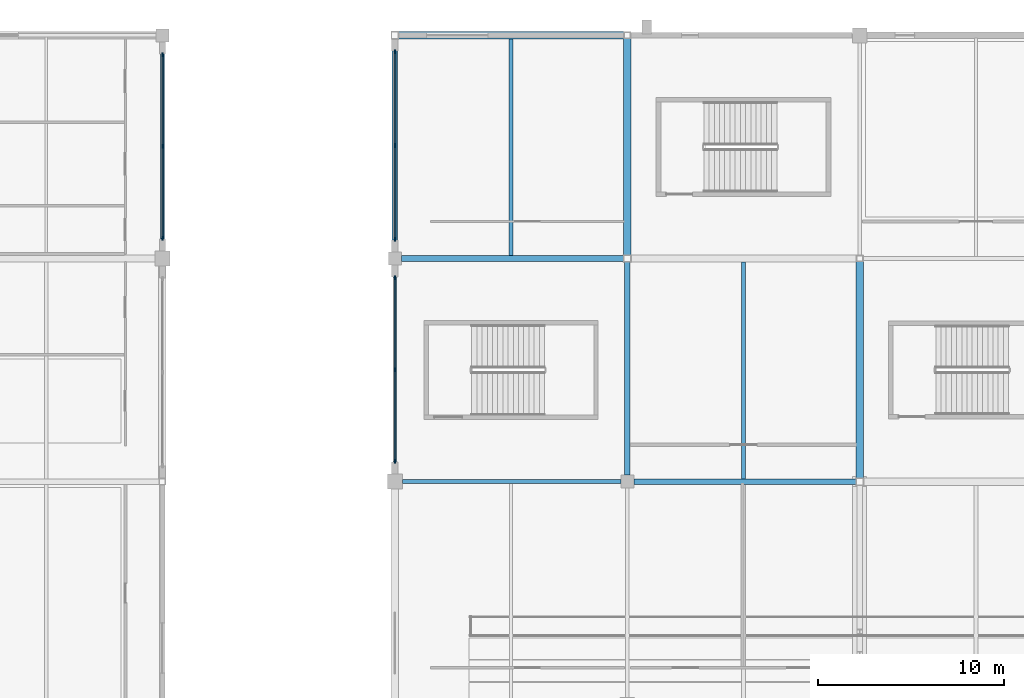
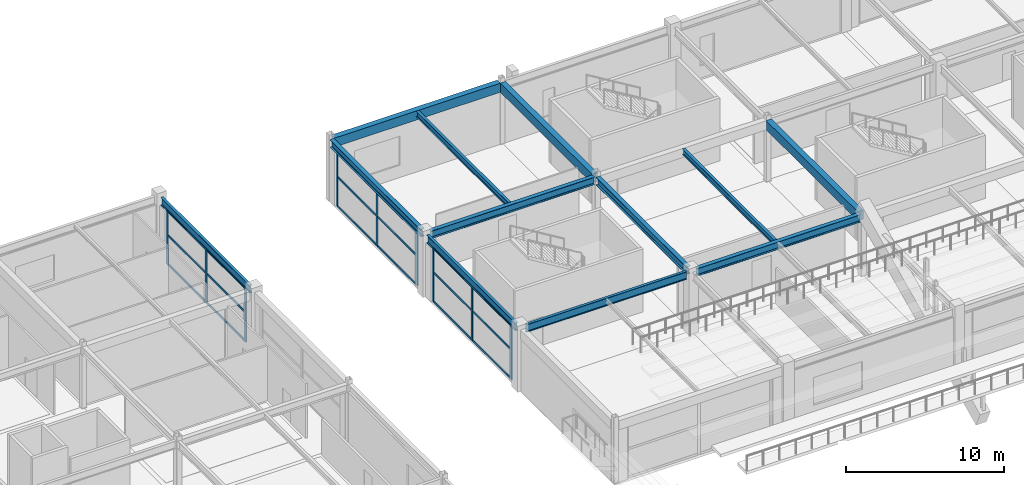
# One storey, part 63 of 128: 27 members, 12 beams, 3 elements without a shape of their own.
"""IFC4 building model written with IfcOpenShell, lengths in metres."""

import ifcopenshell
import ifcopenshell.guid

model = None  # the IFC model being written
_history = None  # IfcOwnerHistory: only IFC2X3 demands one
_inside = {}  # id of a spatial element -> (the spatial element, [elements in it])
_under = {}  # id of a project, library or spatial element -> (it, [spatial elements below it])
_declared = {}  # id of a project -> (the project, [libraries it declares])
_typed = {}  # id of a type object -> (the type object, [elements of that type])
_made_of = {}  # id of a material, layer set ... -> (it, [elements and type objects made of it])


def new_model(schema):
    """Start an empty IFC model of exactly this schema.

    Asked for "IFC4X3", IfcOpenShell would pick the latest addendum, in which some entities
    have other attributes; the version numbers below select the first issue.
    IFC2X3 requires an IfcOwnerHistory on every rooted entity: one is made here for all.
    """
    global model, _history
    if schema == "IFC4X3":
        model = ifcopenshell.file(schema_version=(4, 3, 0, 0))
    else:
        model = ifcopenshell.file(schema=schema)
    _inside.clear()
    _under.clear()
    _declared.clear()
    _typed.clear()
    _made_of.clear()
    _history = None
    if model.schema == "IFC2X3":
        org = make("IfcOrganization", Name="unknown")
        user = make(
            "IfcPersonAndOrganization",
            ThePerson=make("IfcPerson", FamilyName="unknown"),
            TheOrganization=org,
        )
        app = make(
            "IfcApplication",
            ApplicationDeveloper=org,
            Version="unknown",
            ApplicationFullName="unknown",
            ApplicationIdentifier="unknown",
        )
        _history = make(
            "IfcOwnerHistory",
            OwningUser=user,
            OwningApplication=app,
            ChangeAction="ADDED",
            CreationDate=0,
        )
    return model


def make(cls, **values):
    """One entity of the class cls with the attributes given. An attribute that is None is left unset."""
    return model.create_entity(
        cls, **{name: value for name, value in values.items() if value is not None}
    )


def rooted(cls, **values):
    """An entity with a GlobalId (a new one), such as an element, a storey or a relation."""
    return make(cls, GlobalId=ifcopenshell.guid.new(), OwnerHistory=_history, **values)


def si_unit(unit_type, name, prefix=None):
    """IfcSIUnit, for example si_unit("LENGTHUNIT", "METRE", prefix="MILLI")."""
    return make("IfcSIUnit", UnitType=unit_type, Prefix=prefix, Name=name)


def assignment(units):
    """IfcUnitAssignment: the units of a project."""
    return None if units is None else make("IfcUnitAssignment", Units=units)


def point(xyz):
    """IfcCartesianPoint."""
    return None if xyz is None else make("IfcCartesianPoint", Coordinates=xyz)


def direction(xyz):
    """IfcDirection."""
    return None if xyz is None else make("IfcDirection", DirectionRatios=xyz)


def frame(location, z_axis=None, x_axis=None):
    """IfcAxis2Placement3D, a coordinate frame: its origin and axes. An axis left out is left unset."""
    return make(
        "IfcAxis2Placement3D",
        Location=point(location),
        Axis=direction(z_axis),
        RefDirection=direction(x_axis),
    )


def frame_2d(location, x_axis=None):
    """IfcAxis2Placement2D, a coordinate frame in the plane: its origin and x axis."""
    return make(
        "IfcAxis2Placement2D", Location=point(location), RefDirection=direction(x_axis)
    )


def origin():
    """The frame at (0, 0, 0) with its axes left unset."""
    return frame((0.0, 0.0, 0.0))


def origin_2d():
    """The frame at (0, 0) in the plane with its x axis left unset."""
    return frame_2d((0.0, 0.0))


def place(relative_to, where):
    """IfcLocalPlacement: puts the frame where relative to a parent placement (None: the world)."""
    return make(
        "IfcLocalPlacement", PlacementRelTo=relative_to, RelativePlacement=where
    )


def context(
    kind, dimensions, precision=None, world=None, true_north=None, identifier=None
):
    """IfcGeometricRepresentationContext, for example the 3D "Model" context."""
    return make(
        "IfcGeometricRepresentationContext",
        ContextIdentifier=identifier,
        ContextType=kind,
        CoordinateSpaceDimension=dimensions,
        Precision=precision,
        WorldCoordinateSystem=world,
        TrueNorth=true_north,
    )


def subcontext(parent, identifier, kind, view, scale=None):
    """IfcGeometricRepresentationSubContext, for example "Body" below "Model"."""
    return make(
        "IfcGeometricRepresentationSubContext",
        ContextIdentifier=identifier,
        ContextType=kind,
        ParentContext=parent,
        TargetScale=scale,
        TargetView=view,
    )


def project(units=None, contexts=None):
    """IfcProject with its units and contexts."""
    return rooted(
        "IfcProject",
        Name="project",
        RepresentationContexts=contexts,
        UnitsInContext=assignment(units),
    )


def spatial(cls, under=None, at=None, **own):
    """A site, building, storey or space (cls), placed at a placement, below another one or the project."""
    s = rooted(cls, ObjectPlacement=at, **own)
    if under is not None:
        _under.setdefault(under.id(), (under, []))[1].append(s)
    return s


def profile(cls, at=None, kind="AREA", **sizes):
    """A parametric profile (cls). Its sizes go by their IFC names, for example OverallWidth=200.0."""
    return make(cls, ProfileType=kind, Position=at, **sizes)


def rectangle(**sizes):
    """IfcRectangleProfileDef."""
    return profile("IfcRectangleProfileDef", **sizes)


def i_section(**sizes):
    """IfcIShapeProfileDef."""
    return profile("IfcIShapeProfileDef", **sizes)


def extrude(swept, where, along, depth):
    """IfcExtrudedAreaSolid: the profile swept, set in the frame where, extruded along a direction by depth."""
    return make(
        "IfcExtrudedAreaSolid",
        SweptArea=swept,
        Position=where,
        ExtrudedDirection=direction(along),
        Depth=depth,
    )


def shape(context_of_items, identifier, shape_type, items):
    """IfcShapeRepresentation: the items that make up one representation, for example the "Body"."""
    return make(
        "IfcShapeRepresentation",
        ContextOfItems=context_of_items,
        RepresentationIdentifier=identifier,
        RepresentationType=shape_type,
        Items=items,
    )


def material(Name=None, Category=None):
    """IfcMaterial."""
    return make("IfcMaterial", Name=Name, Category=Category)


def layer(
    of_material, thickness, ventilated=None, Name=None, Category=None, Priority=None
):
    """IfcMaterialLayer: one layer of a wall or slab, of a material (None: an air gap)."""
    return make(
        "IfcMaterialLayer",
        Material=of_material,
        LayerThickness=thickness,
        IsVentilated=ventilated,
        Name=Name,
        Category=Category,
        Priority=Priority,
    )


def layer_set(layers, Name=None):
    """IfcMaterialLayerSet."""
    return make("IfcMaterialLayerSet", MaterialLayers=layers, LayerSetName=Name)


def material_profile(
    of_material, cross_section, Name=None, Category=None, Priority=None
):
    """IfcMaterialProfile: a cross section and its material."""
    return make(
        "IfcMaterialProfile",
        Name=Name,
        Material=of_material,
        Profile=cross_section,
        Priority=Priority,
        Category=Category,
    )


def profile_set(profiles, Name=None, composite=None):
    """IfcMaterialProfileSet."""
    return make(
        "IfcMaterialProfileSet",
        Name=Name,
        MaterialProfiles=profiles,
        CompositeProfile=composite,
    )


def made_of(thing, what):
    """Note that an element or type object is made of a material, layer set ...; save() writes the relation."""
    if what is not None:
        _made_of.setdefault(what.id(), (what, []))[1].append(thing)
    return thing


def type_object(cls, material=None, **own):
    """A type object (cls), such as IfcWallType, which elements share."""
    return made_of(rooted(cls, **own), material)


def element(
    cls,
    number,
    at=None,
    inside=None,
    cuts=None,
    type_object=None,
    material=None,
    context=None,
    identifier="Body",
    shape_type=None,
    held_by="IfcProductDefinitionShape",
    body=None,
    shapes=None,
    **own,
):
    """One element of the class cls, such as IfcWall. Its Tag is "e" and its number.

    at: its placement. inside: the storey or other place that contains it. cuts: it is an
    opening in that element (IfcRelVoidsElement). A single representation is given by context,
    identifier, shape_type and body (its items); several are given by shapes. held_by: the class
    of the entity that holds the representations. save() writes the other relations.
    """
    e = rooted(cls, Tag="e%d" % number, ObjectPlacement=at, **own)
    if body is not None:
        shapes = [shape(context, identifier, shape_type, body)]
    if shapes is not None:
        e.Representation = make(held_by, Representations=shapes)
    if inside is not None:
        _inside.setdefault(inside.id(), (inside, []))[1].append(e)
    if cuts is not None:
        rooted(
            "IfcRelVoidsElement", RelatingBuildingElement=cuts, RelatedOpeningElement=e
        )
    if type_object is not None:
        _typed.setdefault(type_object.id(), (type_object, []))[1].append(e)
    return made_of(e, material)


def aggregate(whole, parts):
    """IfcRelAggregates: a whole, such as a stair, and the parts it consists of."""
    return rooted("IfcRelAggregates", RelatingObject=whole, RelatedObjects=parts)


def save(model, path):
    """Write the relations noted so far, then the file.

    IfcRelAggregates (storeys below a building ...), IfcRelContainedInSpatialStructure (elements
    in a storey), IfcRelDefinesByType, IfcRelAssociatesMaterial and IfcRelDeclares: one each for
    every whole, place, type object, material and project.
    """
    for whole, parts in _under.values():
        aggregate(whole, parts)
    for where, things in _inside.values():
        rooted(
            "IfcRelContainedInSpatialStructure",
            RelatedElements=things,
            RelatingStructure=where,
        )
    for kind, things in _typed.values():
        rooted("IfcRelDefinesByType", RelatedObjects=things, RelatingType=kind)
    for what, things in _made_of.values():
        rooted("IfcRelAssociatesMaterial", RelatedObjects=things, RelatingMaterial=what)
    for by, libraries in _declared.values():
        rooted("IfcRelDeclares", RelatingContext=by, RelatedDefinitions=libraries)
    model.write(path)


model = new_model("IFC4")

# Units and contexts
model_context = context("Model", 3, precision=1e-05, world=origin(), true_north=direction((0.0, 1.0)))
body_context = subcontext(model_context, "Body", "Model", "MODEL_VIEW")
ifc_project = project(units=[si_unit("LENGTHUNIT", "METRE"), si_unit("AREAUNIT", "SQUARE_METRE"), si_unit("VOLUMEUNIT", "CUBIC_METRE"), si_unit("PLANEANGLEUNIT", "RADIAN"), si_unit("MASSUNIT", "GRAM", prefix="KILO")], contexts=[model_context])

# Site, building, storey
site_placement = place(None, origin())
site = spatial("IfcSite", under=ifc_project, at=site_placement, CompositionType="ELEMENT")
building_placement = place(site_placement, origin())
building = spatial("IfcBuilding", under=site, at=building_placement, Name="Kazenohara Klinker Stadium", CompositionType="ELEMENT")
storey_placement = place(building_placement, frame((0.0, 0.0, 15.300048828125)))
storey = spatial("IfcBuildingStorey", under=building, at=storey_placement, Name="L03", CompositionType="ELEMENT", Elevation=15.300048828125)

# Beams
ifc_material_1 = material(Name="Steel S355", Category="steel")
ifc_material_profile_1 = material_profile(ifc_material_1, i_section(OverallWidth=0.199951171875, OverallDepth=0.449951171875, WebThickness=0.009033203125, FlangeThickness=0.013916015625, FilletRadius=0.012939453125, at=origin_2d()), Name="H-450x200x9x14")
ifc_profile_set_1 = profile_set([ifc_material_profile_1], Name="Steel S355")
beam_type_1 = type_object("IfcBeamType", Name="BM-JST02", PredefinedType="JOIST", material=ifc_profile_set_1)
for number, where, z_axis, x_axis, name in (
    (1, (55.25, 156.14990234375, 4.534912109375), (0.0, 1.0, 0.0), (-1.0, 0.0, 0.0), "Secondary floor joist SJ02 L03 5/P"),
    (2, (67.75, 144.14990234375, 4.534912109375), (0.0, 1.0, 0.0), (-1.0, 0.0, 0.0), "Secondary floor joist SJ02 L03 6/N"),
):
    element("IfcBeam", number, at=place(storey_placement, frame(where, z_axis=z_axis, x_axis=x_axis)), inside=storey, type_object=beam_type_1, Name=name, PredefinedType="JOIST", context=body_context, shape_type="SweptSolid", body=[
        extrude(i_section(OverallWidth=0.199951171875, OverallDepth=0.449951171875, WebThickness=0.009033203125, FlangeThickness=0.013916015625, FilletRadius=0.012939453125, at=origin_2d()), origin(), (0.0, 0.0, 1.0), 11.650146484375),
    ])
ifc_material_2 = material(Name="Concrete C40/50", Category="concrete")
ifc_material_profile_2 = material_profile(ifc_material_2, rectangle(XDim=0.39990234375, YDim=0.699951171875, at=origin_2d()), Name="RC-BM-400x700")
ifc_profile_set_2 = profile_set([ifc_material_profile_2], Name="Concrete C40/50")
beam_type_2 = type_object("IfcBeamType", Name="BM-RC04", PredefinedType="BEAM", material=ifc_profile_set_2)
beam_1_placement = place(storey_placement, frame((49.199951171875, 168.0, 4.409912109375), z_axis=(1.0, 0.0, 0.0), x_axis=(0.0, 1.0, 0.0)))
element("IfcBeam", 3, at=beam_1_placement, inside=storey, type_object=beam_type_2, Name="Primary girder BG04 L03 5-6/Q", PredefinedType="BEAM", context=body_context, shape_type="SweptSolid", body=[
    extrude(rectangle(XDim=0.39990234375, YDim=0.699951171875, at=origin_2d()), origin(), (0.0, 0.0, 1.0), 12.125),
])
for number, where, z_axis, x_axis, name in (
    (4, (61.5, 156.199951171875, 4.409912109375), (0.0, 1.0, 0.0), (-1.0, 0.0, 0.0), "Primary girder BG04 L03 6/P-Q"),
    (5, (74.0, 144.199951171875, 4.409912109375), (0.0, 1.0, 0.0), (-1.0, 0.0, 0.0), "Primary girder BG04 L03 7/N-P"),
):
    element("IfcBeam", number, at=place(storey_placement, frame(where, z_axis=z_axis, x_axis=x_axis)), inside=storey, type_object=beam_type_2, Name=name, PredefinedType="BEAM", context=body_context, shape_type="SweptSolid", body=[
        extrude(rectangle(XDim=0.39990234375, YDim=0.699951171875, at=origin_2d()), origin(), (0.0, 0.0, 1.0), 11.625),
    ])
ifc_material_profile_3 = material_profile(ifc_material_1, i_section(OverallWidth=0.199951171875, OverallDepth=0.60009765625, WebThickness=0.010986328125, FlangeThickness=0.01708984375, FilletRadius=0.012939453125, at=origin_2d()), Name="H-600x200x11x17")
ifc_profile_set_3 = profile_set([ifc_material_profile_3], Name="Steel S355")
beam_type_3 = type_object("IfcBeamType", Name="BM-ST04", PredefinedType="BEAM", material=ifc_profile_set_3)
beam_2_placement = place(storey_placement, frame((49.39990234375, 144.0, 4.4599609375), z_axis=(1.0, 0.0, 0.0), x_axis=(0.0, 1.0, 0.0)))
element("IfcBeam", 6, at=beam_2_placement, inside=storey, type_object=beam_type_3, Name="Primary girder SB04 L03 5-6/N", PredefinedType="BEAM", context=body_context, shape_type="SweptSolid", body=[
    extrude(i_section(OverallWidth=0.199951171875, OverallDepth=0.60009765625, WebThickness=0.010986328125, FlangeThickness=0.01708984375, FilletRadius=0.012939453125, at=origin_2d()), origin(), (0.0, 0.0, 1.0), 11.75),
])
for number, where, z_axis, x_axis, name in (
    (7, (36.5, 156.39990234375, 4.4599609375), (0.0, 1.0, 0.0), (-1.0, 0.0, 0.0), "Primary girder SB04 L03 4/P-Q"),
    (8, (49.0, 144.39990234375, 4.4599609375), (0.0, 1.0, 0.0), (-1.0, 0.0, 0.0), "Primary girder SB04 L03 5/N-P"),
):
    element("IfcBeam", number, at=place(storey_placement, frame(where, z_axis=z_axis, x_axis=x_axis)), inside=storey, type_object=beam_type_3, Name=name, PredefinedType="BEAM", context=body_context, shape_type="SweptSolid", body=[
        extrude(i_section(OverallWidth=0.199951171875, OverallDepth=0.60009765625, WebThickness=0.010986328125, FlangeThickness=0.01708984375, FilletRadius=0.012939453125, at=origin_2d()), origin(), (0.0, 0.0, 1.0), 11.25),
    ])
ifc_material_profile_4 = material_profile(ifc_material_1, i_section(OverallWidth=0.300048828125, OverallDepth=0.587890625, WebThickness=0.011962890625, FlangeThickness=0.02001953125, FilletRadius=0.02197265625, at=origin_2d()), Name="H-588x300x12x20")
ifc_profile_set_4 = profile_set([ifc_material_profile_4], Name="Steel S355")
beam_type_4 = type_object("IfcBeamType", Name="BM-ST05", PredefinedType="BEAM", material=ifc_profile_set_4)
for number, where, z_axis, x_axis, name in (
    (9, (49.35009765625, 156.0, 4.466064453125), (1.0, 0.0, 0.0), (0.0, 1.0, 0.0), "Primary girder SB05 L03 5-6/P"),
    (10, (61.85009765625, 144.0, 4.466064453125), (1.0, 0.0, 0.0), (0.0, 1.0, 0.0), "Primary girder SB05 L03 6-7/N"),
):
    element("IfcBeam", number, at=place(storey_placement, frame(where, z_axis=z_axis, x_axis=x_axis)), inside=storey, type_object=beam_type_4, Name=name, PredefinedType="BEAM", context=body_context, shape_type="SweptSolid", body=[
        extrude(i_section(OverallWidth=0.300048828125, OverallDepth=0.587890625, WebThickness=0.011962890625, FlangeThickness=0.02001953125, FilletRadius=0.02197265625, at=origin_2d()), origin(), (0.0, 0.0, 1.0), 11.949951171875),
    ])
for number, where, z_axis, x_axis, name in (
    (11, (49.0, 156.35009765625, 4.466064453125), (0.0, 1.0, 0.0), (-1.0, 0.0, 0.0), "Primary girder SB05 L03 5/P-Q"),
    (12, (61.5, 144.35009765625, 4.466064453125), (0.0, 1.0, 0.0), (-1.0, 0.0, 0.0), "Primary girder SB05 L03 6/N-P"),
):
    element("IfcBeam", number, at=place(storey_placement, frame(where, z_axis=z_axis, x_axis=x_axis)), inside=storey, type_object=beam_type_4, Name=name, PredefinedType="BEAM", context=body_context, shape_type="SweptSolid", body=[
        extrude(i_section(OverallWidth=0.300048828125, OverallDepth=0.587890625, WebThickness=0.011962890625, FlangeThickness=0.02001953125, FilletRadius=0.02197265625, at=origin_2d()), origin(), (0.0, 0.0, 1.0), 11.449951171875),
    ])

# Curtain wall, members
ifc_material_3 = material(Name="Anodised aluminium and triple glazing", Category="aluminium")
ifc_layer_1 = layer(ifc_material_3, 0.159912109375)
ifc_layer_set_1 = layer_set([ifc_layer_1], Name="Anodised aluminium and triple glazing")
curtain_wall_type_1 = type_object("IfcCurtainWallType", Name="CW-SYS-01", PredefinedType="USERDEFINED", material=ifc_layer_set_1)
curtain_wall_1_placement = place(storey_placement, origin())
curtain_wall_1 = element("IfcCurtainWall", 13, at=curtain_wall_1_placement, inside=storey, type_object=curtain_wall_type_1, Name="Unitised facade curtain wall CW01 L03 Y3-13", ObjectType="UNITISED CURTAIN WALL", PredefinedType="USERDEFINED")
ifc_material_4 = material(Name="Anodised aluminium 6063-T6", Category="aluminium")
ifc_material_profile_5 = material_profile(ifc_material_4, rectangle(XDim=0.074951171875, YDim=0.219970703125, at=origin_2d()), Name="ALU-MUL-75x220")
ifc_profile_set_5 = profile_set([ifc_material_profile_5], Name="Anodised aluminium 6063-T6")
member_type_1 = type_object("IfcMemberType", Name="CW-MUL-220", PredefinedType="MULLION", material=ifc_profile_set_5)
member_1_placement = place(storey_placement, frame((36.5, 157.091552734375, 0.0), z_axis=(0.0, 0.0, 1.0), x_axis=(-1.0, 0.0, 0.0)))
member_1 = element("IfcMember", 14, at=member_1_placement, type_object=member_type_1, Name="CW01 mullion 1", PredefinedType="MULLION", context=body_context, shape_type="SweptSolid", body=[
    extrude(rectangle(XDim=0.074951171875, YDim=0.219970703125, at=origin_2d()), origin(), (0.0, 0.0, 1.0), 4.159912109375),
])
member_2_placement = place(storey_placement, frame((36.5, 162.02490234375, 0.0), z_axis=(0.0, 0.0, 1.0), x_axis=(-1.0, 0.0, 0.0)))
member_2 = element("IfcMember", 15, at=member_2_placement, type_object=member_type_1, Name="CW01 mullion 2", PredefinedType="MULLION", context=body_context, shape_type="SweptSolid", body=[
    extrude(rectangle(XDim=0.074951171875, YDim=0.219970703125, at=origin_2d()), origin(), (0.0, 0.0, 1.0), 4.159912109375),
])
member_3_placement = place(storey_placement, frame((36.5, 166.95849609375, 0.0), z_axis=(0.0, 0.0, 1.0), x_axis=(-1.0, 0.0, 0.0)))
member_3 = element("IfcMember", 16, at=member_3_placement, type_object=member_type_1, Name="CW01 mullion 3", PredefinedType="MULLION", context=body_context, shape_type="SweptSolid", body=[
    extrude(rectangle(XDim=0.074951171875, YDim=0.219970703125, at=origin_2d()), origin(), (0.0, 0.0, 1.0), 4.159912109375),
])

ifc_layer_2 = layer(ifc_material_3, 0.18994140625)
ifc_layer_set_2 = layer_set([ifc_layer_2], Name="Anodised aluminium and triple glazing")
curtain_wall_type_2 = type_object("IfcCurtainWallType", Name="CW-SYS-05", PredefinedType="USERDEFINED", material=ifc_layer_set_2)
curtain_wall_2_placement = place(storey_placement, origin())
curtain_wall_2 = element("IfcCurtainWall", 17, at=curtain_wall_2_placement, inside=storey, type_object=curtain_wall_type_2, Name="Unitised facade curtain wall CW05 L03 Y4-12", ObjectType="UNITISED CURTAIN WALL", PredefinedType="USERDEFINED")
member_4_placement = place(storey_placement, frame((49.0, 145.091552734375, 0.0), z_axis=(0.0, 0.0, 1.0), x_axis=(-1.0, 0.0, 0.0)))
member_4 = element("IfcMember", 18, at=member_4_placement, type_object=member_type_1, Name="CW05 mullion 1", PredefinedType="MULLION", context=body_context, shape_type="SweptSolid", body=[
    extrude(rectangle(XDim=0.074951171875, YDim=0.219970703125, at=origin_2d()), origin(), (0.0, 0.0, 1.0), 4.159912109375),
])
member_5_placement = place(storey_placement, frame((49.0, 150.02490234375, 0.0), z_axis=(0.0, 0.0, 1.0), x_axis=(-1.0, 0.0, 0.0)))
member_5 = element("IfcMember", 19, at=member_5_placement, type_object=member_type_1, Name="CW05 mullion 2", PredefinedType="MULLION", context=body_context, shape_type="SweptSolid", body=[
    extrude(rectangle(XDim=0.074951171875, YDim=0.219970703125, at=origin_2d()), origin(), (0.0, 0.0, 1.0), 4.159912109375),
])
member_6_placement = place(storey_placement, frame((49.0, 154.95849609375, 0.0), z_axis=(0.0, 0.0, 1.0), x_axis=(-1.0, 0.0, 0.0)))
member_6 = element("IfcMember", 20, at=member_6_placement, type_object=member_type_1, Name="CW05 mullion 3", PredefinedType="MULLION", context=body_context, shape_type="SweptSolid", body=[
    extrude(rectangle(XDim=0.074951171875, YDim=0.219970703125, at=origin_2d()), origin(), (0.0, 0.0, 1.0), 4.159912109375),
])

curtain_wall_3_placement = place(storey_placement, origin())
curtain_wall_3 = element("IfcCurtainWall", 21, at=curtain_wall_3_placement, inside=storey, type_object=curtain_wall_type_1, Name="Unitised facade curtain wall CW01 L03 Y4-13", ObjectType="UNITISED CURTAIN WALL", PredefinedType="USERDEFINED")
member_7_placement = place(storey_placement, frame((49.0, 157.04150390625, 0.0), z_axis=(0.0, 0.0, 1.0), x_axis=(-1.0, 0.0, 0.0)))
member_7 = element("IfcMember", 22, at=member_7_placement, type_object=member_type_1, Name="CW01 mullion 1", PredefinedType="MULLION", context=body_context, shape_type="SweptSolid", body=[
    extrude(rectangle(XDim=0.074951171875, YDim=0.219970703125, at=origin_2d()), origin(), (0.0, 0.0, 1.0), 4.171875),
])
member_8_placement = place(storey_placement, frame((49.0, 162.074951171875, 0.0), z_axis=(0.0, 0.0, 1.0), x_axis=(-1.0, 0.0, 0.0)))
member_8 = element("IfcMember", 23, at=member_8_placement, type_object=member_type_1, Name="CW01 mullion 2", PredefinedType="MULLION", context=body_context, shape_type="SweptSolid", body=[
    extrude(rectangle(XDim=0.074951171875, YDim=0.219970703125, at=origin_2d()), origin(), (0.0, 0.0, 1.0), 4.171875),
])
member_9_placement = place(storey_placement, frame((49.0, 167.1083984375, 0.0), z_axis=(0.0, 0.0, 1.0), x_axis=(-1.0, 0.0, 0.0)))
member_9 = element("IfcMember", 24, at=member_9_placement, type_object=member_type_1, Name="CW01 mullion 3", PredefinedType="MULLION", context=body_context, shape_type="SweptSolid", body=[
    extrude(rectangle(XDim=0.074951171875, YDim=0.219970703125, at=origin_2d()), origin(), (0.0, 0.0, 1.0), 4.171875),
])

# Member
ifc_material_profile_6 = material_profile(ifc_material_4, rectangle(XDim=0.074951171875, YDim=0.159912109375, at=origin_2d()), Name="ALU-TRN-75x160")
ifc_profile_set_6 = profile_set([ifc_material_profile_6], Name="Anodised aluminium 6063-T6")
member_type_2 = type_object("IfcMemberType", Name="CW-TRN-160", PredefinedType="USERDEFINED", material=ifc_profile_set_6)
member_10_placement = place(storey_placement, frame((36.5, 157.12890625, 0.037353515625), z_axis=(0.0, 1.0, 0.0), x_axis=(-1.0, 0.0, 0.0)))
member_10 = element("IfcMember", 25, at=member_10_placement, type_object=member_type_2, Name="CW01 transom 1.1", ObjectType="TRANSOM", PredefinedType="USERDEFINED", context=body_context, shape_type="SweptSolid", body=[
    extrude(rectangle(XDim=0.074951171875, YDim=0.159912109375, at=origin_2d()), origin(), (0.0, 0.0, 1.0), 4.858642578125),
])

member_11_placement = place(storey_placement, frame((36.5, 157.12890625, 2.287841796875), z_axis=(0.0, 1.0, 0.0), x_axis=(-1.0, 0.0, 0.0)))
member_11 = element("IfcMember", 26, at=member_11_placement, type_object=member_type_2, Name="CW01 transom 1.2", ObjectType="TRANSOM", PredefinedType="USERDEFINED", context=body_context, shape_type="SweptSolid", body=[
    extrude(rectangle(XDim=0.074951171875, YDim=0.159912109375, at=origin_2d()), origin(), (0.0, 0.0, 1.0), 4.858642578125),
])

member_12_placement = place(storey_placement, frame((36.5, 157.12890625, 4.12255859375), z_axis=(0.0, 1.0, 0.0), x_axis=(-1.0, 0.0, 0.0)))
member_12 = element("IfcMember", 27, at=member_12_placement, type_object=member_type_2, Name="CW01 transom 1.3", ObjectType="TRANSOM", PredefinedType="USERDEFINED", context=body_context, shape_type="SweptSolid", body=[
    extrude(rectangle(XDim=0.074951171875, YDim=0.159912109375, at=origin_2d()), origin(), (0.0, 0.0, 1.0), 4.858642578125),
])

member_13_placement = place(storey_placement, frame((36.5, 162.0625, 0.037353515625), z_axis=(0.0, 1.0, 0.0), x_axis=(-1.0, 0.0, 0.0)))
member_13 = element("IfcMember", 28, at=member_13_placement, type_object=member_type_2, Name="CW01 transom 2.1", ObjectType="TRANSOM", PredefinedType="USERDEFINED", context=body_context, shape_type="SweptSolid", body=[
    extrude(rectangle(XDim=0.074951171875, YDim=0.159912109375, at=origin_2d()), origin(), (0.0, 0.0, 1.0), 4.8583984375),
])

member_14_placement = place(storey_placement, frame((36.5, 162.0625, 2.287841796875), z_axis=(0.0, 1.0, 0.0), x_axis=(-1.0, 0.0, 0.0)))
member_14 = element("IfcMember", 29, at=member_14_placement, type_object=member_type_2, Name="CW01 transom 2.2", ObjectType="TRANSOM", PredefinedType="USERDEFINED", context=body_context, shape_type="SweptSolid", body=[
    extrude(rectangle(XDim=0.074951171875, YDim=0.159912109375, at=origin_2d()), origin(), (0.0, 0.0, 1.0), 4.8583984375),
])

member_15_placement = place(storey_placement, frame((36.5, 162.0625, 4.12255859375), z_axis=(0.0, 1.0, 0.0), x_axis=(-1.0, 0.0, 0.0)))
member_15 = element("IfcMember", 30, at=member_15_placement, type_object=member_type_2, Name="CW01 transom 2.3", ObjectType="TRANSOM", PredefinedType="USERDEFINED", context=body_context, shape_type="SweptSolid", body=[
    extrude(rectangle(XDim=0.074951171875, YDim=0.159912109375, at=origin_2d()), origin(), (0.0, 0.0, 1.0), 4.8583984375),
])

aggregate(curtain_wall_1, [member_1, member_2, member_3, member_10, member_11, member_12, member_13, member_14, member_15])

member_16_placement = place(storey_placement, frame((49.0, 145.12890625, 0.037353515625), z_axis=(0.0, 1.0, 0.0), x_axis=(-1.0, 0.0, 0.0)))
member_16 = element("IfcMember", 31, at=member_16_placement, type_object=member_type_2, Name="CW05 transom 1.1", ObjectType="TRANSOM", PredefinedType="USERDEFINED", context=body_context, shape_type="SweptSolid", body=[
    extrude(rectangle(XDim=0.074951171875, YDim=0.159912109375, at=origin_2d()), origin(), (0.0, 0.0, 1.0), 4.858642578125),
])

member_17_placement = place(storey_placement, frame((49.0, 145.12890625, 2.287841796875), z_axis=(0.0, 1.0, 0.0), x_axis=(-1.0, 0.0, 0.0)))
member_17 = element("IfcMember", 32, at=member_17_placement, type_object=member_type_2, Name="CW05 transom 1.2", ObjectType="TRANSOM", PredefinedType="USERDEFINED", context=body_context, shape_type="SweptSolid", body=[
    extrude(rectangle(XDim=0.074951171875, YDim=0.159912109375, at=origin_2d()), origin(), (0.0, 0.0, 1.0), 4.858642578125),
])

member_18_placement = place(storey_placement, frame((49.0, 145.12890625, 4.12255859375), z_axis=(0.0, 1.0, 0.0), x_axis=(-1.0, 0.0, 0.0)))
member_18 = element("IfcMember", 33, at=member_18_placement, type_object=member_type_2, Name="CW05 transom 1.3", ObjectType="TRANSOM", PredefinedType="USERDEFINED", context=body_context, shape_type="SweptSolid", body=[
    extrude(rectangle(XDim=0.074951171875, YDim=0.159912109375, at=origin_2d()), origin(), (0.0, 0.0, 1.0), 4.858642578125),
])

member_19_placement = place(storey_placement, frame((49.0, 150.0625, 0.037353515625), z_axis=(0.0, 1.0, 0.0), x_axis=(-1.0, 0.0, 0.0)))
member_19 = element("IfcMember", 34, at=member_19_placement, type_object=member_type_2, Name="CW05 transom 2.1", ObjectType="TRANSOM", PredefinedType="USERDEFINED", context=body_context, shape_type="SweptSolid", body=[
    extrude(rectangle(XDim=0.074951171875, YDim=0.159912109375, at=origin_2d()), origin(), (0.0, 0.0, 1.0), 4.8583984375),
])

member_20_placement = place(storey_placement, frame((49.0, 150.0625, 2.287841796875), z_axis=(0.0, 1.0, 0.0), x_axis=(-1.0, 0.0, 0.0)))
member_20 = element("IfcMember", 35, at=member_20_placement, type_object=member_type_2, Name="CW05 transom 2.2", ObjectType="TRANSOM", PredefinedType="USERDEFINED", context=body_context, shape_type="SweptSolid", body=[
    extrude(rectangle(XDim=0.074951171875, YDim=0.159912109375, at=origin_2d()), origin(), (0.0, 0.0, 1.0), 4.8583984375),
])

member_21_placement = place(storey_placement, frame((49.0, 150.0625, 4.12255859375), z_axis=(0.0, 1.0, 0.0), x_axis=(-1.0, 0.0, 0.0)))
member_21 = element("IfcMember", 36, at=member_21_placement, type_object=member_type_2, Name="CW05 transom 2.3", ObjectType="TRANSOM", PredefinedType="USERDEFINED", context=body_context, shape_type="SweptSolid", body=[
    extrude(rectangle(XDim=0.074951171875, YDim=0.159912109375, at=origin_2d()), origin(), (0.0, 0.0, 1.0), 4.8583984375),
])

aggregate(curtain_wall_2, [member_4, member_5, member_6, member_16, member_17, member_18, member_19, member_20, member_21])

member_22_placement = place(storey_placement, frame((49.0, 157.0791015625, 0.037353515625), z_axis=(0.0, 1.0, 0.0), x_axis=(-1.0, 0.0, 0.0)))
member_22 = element("IfcMember", 37, at=member_22_placement, type_object=member_type_2, Name="CW01 transom 1.1", ObjectType="TRANSOM", PredefinedType="USERDEFINED", context=body_context, shape_type="SweptSolid", body=[
    extrude(rectangle(XDim=0.074951171875, YDim=0.159912109375, at=origin_2d()), origin(), (0.0, 0.0, 1.0), 4.95849609375),
])

member_23_placement = place(storey_placement, frame((49.0, 157.0791015625, 2.29443359375), z_axis=(0.0, 1.0, 0.0), x_axis=(-1.0, 0.0, 0.0)))
member_23 = element("IfcMember", 38, at=member_23_placement, type_object=member_type_2, Name="CW01 transom 1.2", ObjectType="TRANSOM", PredefinedType="USERDEFINED", context=body_context, shape_type="SweptSolid", body=[
    extrude(rectangle(XDim=0.074951171875, YDim=0.159912109375, at=origin_2d()), origin(), (0.0, 0.0, 1.0), 4.95849609375),
])

member_24_placement = place(storey_placement, frame((49.0, 157.0791015625, 4.134521484375), z_axis=(0.0, 1.0, 0.0), x_axis=(-1.0, 0.0, 0.0)))
member_24 = element("IfcMember", 39, at=member_24_placement, type_object=member_type_2, Name="CW01 transom 1.3", ObjectType="TRANSOM", PredefinedType="USERDEFINED", context=body_context, shape_type="SweptSolid", body=[
    extrude(rectangle(XDim=0.074951171875, YDim=0.159912109375, at=origin_2d()), origin(), (0.0, 0.0, 1.0), 4.95849609375),
])

member_25_placement = place(storey_placement, frame((49.0, 162.112548828125, 0.037353515625), z_axis=(0.0, 1.0, 0.0), x_axis=(-1.0, 0.0, 0.0)))
member_25 = element("IfcMember", 40, at=member_25_placement, type_object=member_type_2, Name="CW01 transom 2.1", ObjectType="TRANSOM", PredefinedType="USERDEFINED", context=body_context, shape_type="SweptSolid", body=[
    extrude(rectangle(XDim=0.074951171875, YDim=0.159912109375, at=origin_2d()), origin(), (0.0, 0.0, 1.0), 4.95849609375),
])

member_26_placement = place(storey_placement, frame((49.0, 162.112548828125, 2.29443359375), z_axis=(0.0, 1.0, 0.0), x_axis=(-1.0, 0.0, 0.0)))
member_26 = element("IfcMember", 41, at=member_26_placement, type_object=member_type_2, Name="CW01 transom 2.2", ObjectType="TRANSOM", PredefinedType="USERDEFINED", context=body_context, shape_type="SweptSolid", body=[
    extrude(rectangle(XDim=0.074951171875, YDim=0.159912109375, at=origin_2d()), origin(), (0.0, 0.0, 1.0), 4.95849609375),
])

member_27_placement = place(storey_placement, frame((49.0, 162.112548828125, 4.134521484375), z_axis=(0.0, 1.0, 0.0), x_axis=(-1.0, 0.0, 0.0)))
member_27 = element("IfcMember", 42, at=member_27_placement, type_object=member_type_2, Name="CW01 transom 2.3", ObjectType="TRANSOM", PredefinedType="USERDEFINED", context=body_context, shape_type="SweptSolid", body=[
    extrude(rectangle(XDim=0.074951171875, YDim=0.159912109375, at=origin_2d()), origin(), (0.0, 0.0, 1.0), 4.95849609375),
])

aggregate(curtain_wall_3, [member_7, member_8, member_9, member_22, member_23, member_24, member_25, member_26, member_27])

save(model, "model.ifc")
